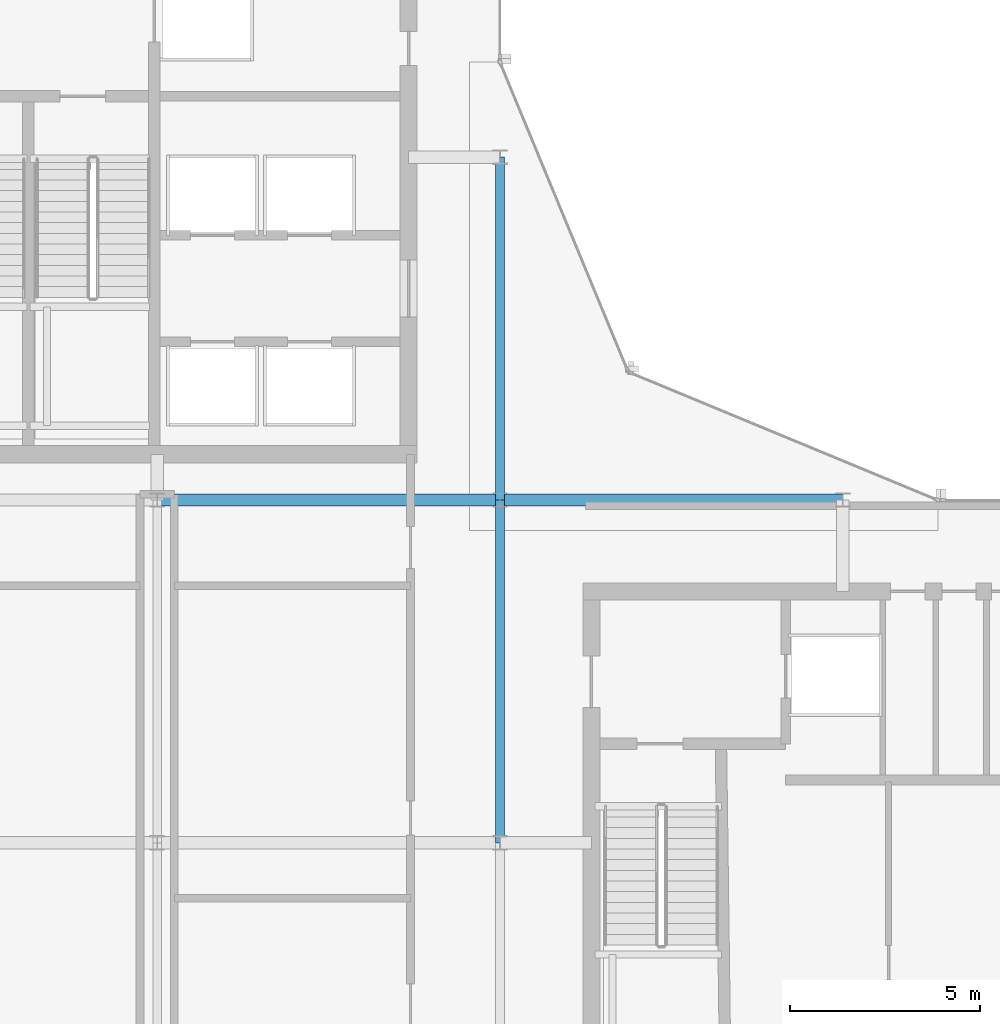
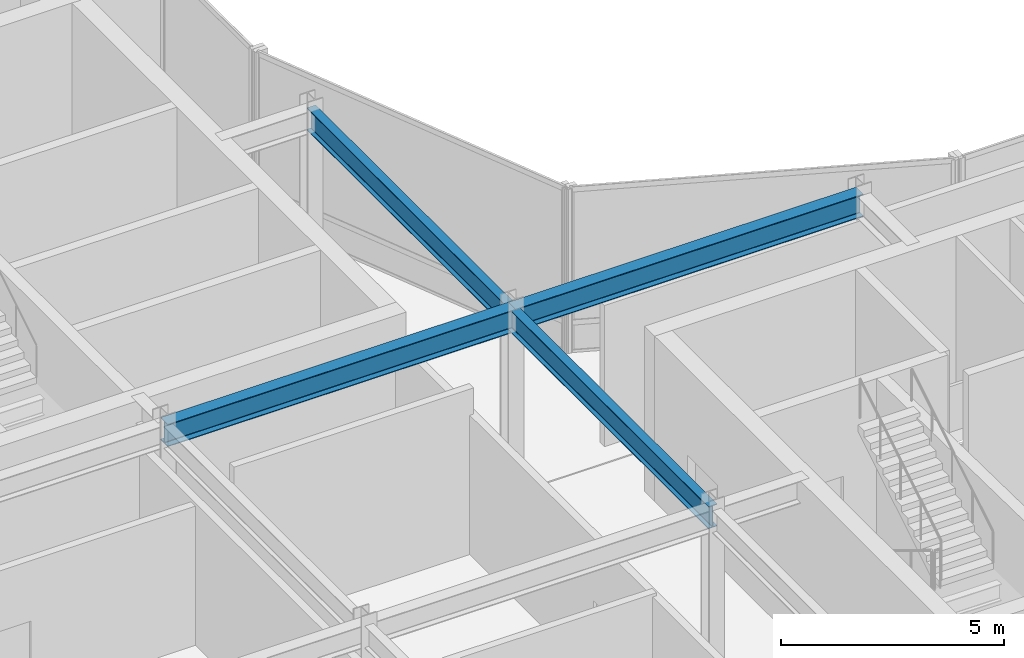
# One storey, part 9 of 23: 4 beams.
"""IFC4 building model written with IfcOpenShell, lengths in metres."""

from ifc_helpers import new_model, si_unit, direction, frame, origin, origin_2d, place, context, subcontext, project, spatial, i_section, extrude, material, material_profile, profile_set, type_object, element, save


model = new_model("IFC4")

# Units and contexts
model_context = context("Model", 3, precision=1e-05, world=origin(), true_north=direction((0.0, 1.0)))
body_context = subcontext(model_context, "Body", "Model", "MODEL_VIEW")
ifc_project = project(units=[si_unit("LENGTHUNIT", "METRE"), si_unit("AREAUNIT", "SQUARE_METRE"), si_unit("VOLUMEUNIT", "CUBIC_METRE"), si_unit("PLANEANGLEUNIT", "RADIAN"), si_unit("MASSUNIT", "GRAM", prefix="KILO")], contexts=[model_context])

# Site, building, storey
site_placement = place(None, origin())
site = spatial("IfcSite", under=ifc_project, at=site_placement, CompositionType="ELEMENT")
building_placement = place(site_placement, origin())
building = spatial("IfcBuilding", under=site, at=building_placement, Name="Solvaryn Broadcast Tower", CompositionType="ELEMENT")
storey_placement = place(building_placement, frame((0.0, 0.0, 285.199951171875)))
storey = spatial("IfcBuildingStorey", under=building, at=storey_placement, Name="L72", CompositionType="ELEMENT", Elevation=285.199951171875)

# Beams
ifc_material_1 = material(Name="Steel ASTM A992 Grade 50", Category="steel")
ifc_material_profile_1 = material_profile(ifc_material_1, i_section(OverallWidth=0.323974609375, OverallDepth=0.611083984375, WebThickness=0.0126953125, FlangeThickness=0.01904296875, FilletRadius=0.014892578125, at=origin_2d()))
ifc_profile_set_1 = profile_set([ifc_material_profile_1], Name="Steel ASTM A992 Grade 50")
beam_type_1 = type_object("IfcBeamType", Name="BM-B1-W24X104", PredefinedType="BEAM", material=ifc_profile_set_1)
for number, where, z_axis, x_axis, name in (
    (1, (18.0, 27.0, 4.214599609375), (1.0, 0.0, 0.0), (0.0, 1.0, 0.0), "L72 Primary Beam X (18-27 @ Y=27)"),
    (2, (27.0, 27.0, 4.214599609375), (1.0, 0.0, 0.0), (0.0, 1.0, 0.0), "L72 Primary Beam X (27-36 @ Y=27)"),
):
    element("IfcBeam", number, at=place(storey_placement, frame(where, z_axis=z_axis, x_axis=x_axis)), inside=storey, type_object=beam_type_1, Name=name, PredefinedType="BEAM", context=body_context, shape_type="SweptSolid", body=[
        extrude(i_section(OverallWidth=0.323974609375, OverallDepth=0.611083984375, WebThickness=0.0126953125, FlangeThickness=0.01904296875, FilletRadius=0.014892578125, at=origin_2d()), origin(), (0.0, 0.0, 1.0), 9.0),
    ])
ifc_material_2 = material(Name="Steel ASTM A992 Grade 50", Category="steel")
ifc_material_profile_2 = material_profile(ifc_material_2, i_section(OverallWidth=0.22802734375, OverallDepth=0.60791015625, WebThickness=0.01123046875, FlangeThickness=0.017333984375, FilletRadius=0.014892578125, at=origin_2d()))
ifc_profile_set_2 = profile_set([ifc_material_profile_2], Name="Steel ASTM A992 Grade 50")
beam_type_2 = type_object("IfcBeamType", Name="BM-B2-W24X76", PredefinedType="BEAM", material=ifc_profile_set_2)
for number, where, z_axis, x_axis, name in (
    (3, (27.0, 18.0, 4.216064453125), (0.0, 1.0, 0.0), (-1.0, 0.0, 0.0), "L72 Primary Beam Y (18-27 @ X=27)"),
    (4, (27.0, 27.0, 4.216064453125), (0.0, 1.0, 0.0), (-1.0, 0.0, 0.0), "L72 Primary Beam Y (27-36 @ X=27)"),
):
    element("IfcBeam", number, at=place(storey_placement, frame(where, z_axis=z_axis, x_axis=x_axis)), inside=storey, type_object=beam_type_2, Name=name, PredefinedType="BEAM", context=body_context, shape_type="SweptSolid", body=[
        extrude(i_section(OverallWidth=0.22802734375, OverallDepth=0.60791015625, WebThickness=0.01123046875, FlangeThickness=0.017333984375, FilletRadius=0.014892578125, at=origin_2d()), origin(), (0.0, 0.0, 1.0), 9.0),
    ])

save(model, "model.ifc")
